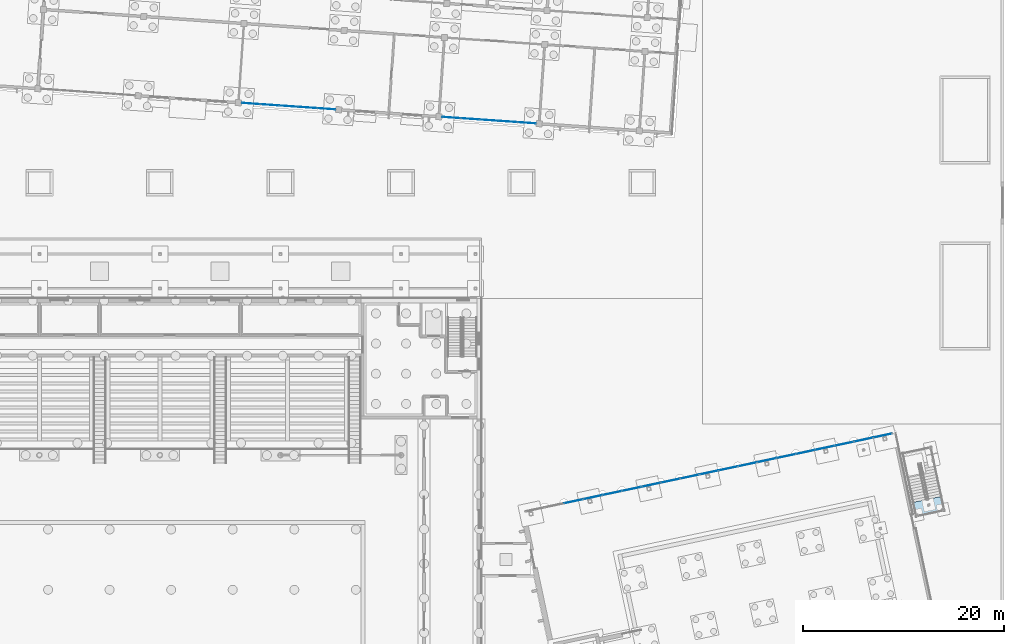
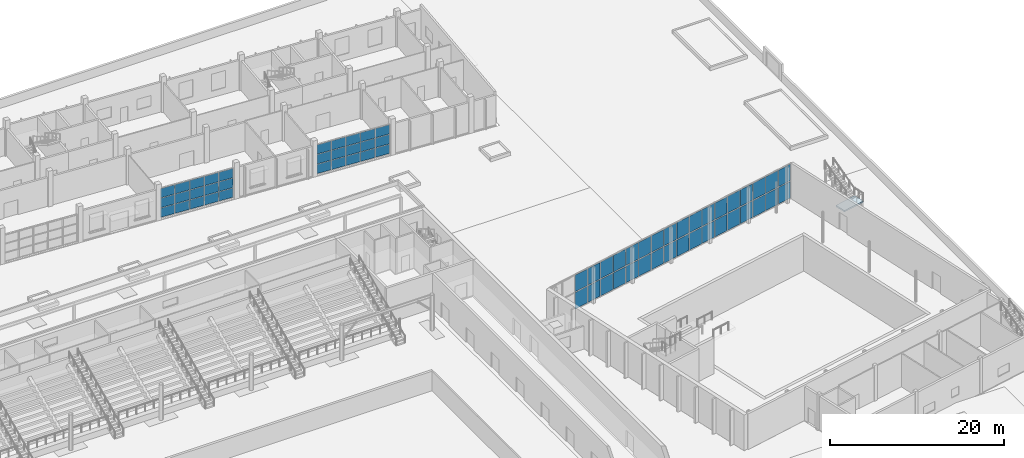
# One storey, part 71 of 157: 64 plates, 1 slab, 4 elements without a shape of their own.
"""IFC4 building model written with IfcOpenShell, lengths in metres."""

from ifc_helpers import new_model, si_unit, direction, frame, origin, origin_2d, place, context, subcontext, project, spatial, polyline, rectangle, outline, extrude, material, layer, layer_set, type_object, element, aggregate, save


model = new_model("IFC4")

# Units and contexts
model_context = context("Model", 3, precision=1e-05, world=origin(), true_north=direction((0.0, 1.0)))
body_context = subcontext(model_context, "Body", "Model", "MODEL_VIEW")
ifc_project = project(units=[si_unit("LENGTHUNIT", "METRE"), si_unit("AREAUNIT", "SQUARE_METRE"), si_unit("VOLUMEUNIT", "CUBIC_METRE"), si_unit("PLANEANGLEUNIT", "RADIAN"), si_unit("MASSUNIT", "GRAM", prefix="KILO")], contexts=[model_context])

# Site, building, storey
site_placement = place(None, origin())
site = spatial("IfcSite", under=ifc_project, at=site_placement, CompositionType="ELEMENT")
building_placement = place(site_placement, origin())
building = spatial("IfcBuilding", under=site, at=building_placement, Name="Windward Yard Aquatics Centre", CompositionType="ELEMENT")
storey_placement = place(building_placement, origin())
storey = spatial("IfcBuildingStorey", under=building, at=storey_placement, Name="L00", CompositionType="ELEMENT", Elevation=0.0)

# Stair, slab
ifc_material_1 = material(Name="Concrete C35/45", Category="concrete")
stair_type = type_object("IfcStairType", Name="D Gallery escape stair dog-leg stair", PredefinedType="HALF_TURN_STAIR", material=ifc_material_1)
stair_placement = place(storey_placement, origin())
stair = element("IfcStair", 1, at=stair_placement, inside=storey, type_object=stair_type, Name="L00 Gallery escape stair", PredefinedType="HALF_TURN_STAIR")
ifc_layer_1 = layer(ifc_material_1, 0.199951171875)
ifc_layer_set_1 = layer_set([ifc_layer_1], Name="D Gallery escape stair stair landing 200")
slab_type = type_object("IfcSlabType", Name="D Gallery escape stair stair landing 200", PredefinedType="LANDING", material=ifc_layer_set_1)
slab_placement = place(storey_placement, frame((0.0, 0.0, 2.300048828125)))
slab = element("IfcSlab", 2, at=slab_placement, type_object=slab_type, Name="D-ST2 landing 1", PredefinedType="LANDING", context=body_context, shape_type="SweptSolid", body=[
    extrude(outline(polyline([(194.924072265625, 75.687744140625), (195.229736328125, 74.25), (198.115234375, 74.86328125), (197.8095703125, 76.30126953125), (194.924072265625, 75.687744140625)])), origin(), (0.0, 0.0, 1.0), 0.199951171875),
])
aggregate(stair, [slab])

# Curtain wall, plates
ifc_material_2 = material(Name="Aluminium and glass", Category="aluminium")
ifc_layer_2 = layer(ifc_material_2, 0.159912109375)
ifc_layer_set_2 = layer_set([ifc_layer_2], Name="D curtain wall 160")
curtain_wall_type_1 = type_object("IfcCurtainWallType", Name="D curtain wall 160", PredefinedType="NOTDEFINED", material=ifc_layer_set_2)
curtain_wall_1_placement = place(storey_placement, origin())
curtain_wall_1 = element("IfcCurtainWall", 3, at=curtain_wall_1_placement, inside=storey, type_object=curtain_wall_type_1, Name="North glazing L00", PredefinedType="NOTDEFINED")
ifc_material_3 = material(Name="Laminated low-iron glass", Category="glass")
ifc_layer_3 = layer(ifc_material_3, 0.028076171875)
ifc_layer_set_3 = layer_set([ifc_layer_3], Name="D curtain wall glass panel 28")
plate_type_1 = type_object("IfcPlateType", Name="D curtain wall glass panel 28", PredefinedType="CURTAIN_PANEL", material=ifc_layer_set_3)
plate_1_placement = place(storey_placement, frame((161.1767578125, 75.803955078125, 0.1201171875), z_axis=(0.0, 0.0, 1.0), x_axis=(0.978147594815, 0.207911718662, 0.0)))
plate_1 = element("IfcPlate", 4, at=plate_1_placement, type_object=plate_type_1, Name="DCW-L00 panel 3.1", PredefinedType="CURTAIN_PANEL", context=body_context, shape_type="SweptSolid", body=[
    extrude(rectangle(XDim=1.90576171875, YDim=0.028076171875, at=origin_2d()), origin(), (0.0, 0.0, 1.0), 2.320068359375),
])
plate_2_placement = place(storey_placement, frame((161.1767578125, 75.803955078125, 2.56005859375), z_axis=(0.0, 0.0, 1.0), x_axis=(0.978147594815, 0.207911718662, 0.0)))
plate_2 = element("IfcPlate", 5, at=plate_2_placement, type_object=plate_type_1, Name="DCW-L00 panel 3.2", PredefinedType="CURTAIN_PANEL", context=body_context, shape_type="SweptSolid", body=[
    extrude(rectangle(XDim=1.90576171875, YDim=0.028076171875, at=origin_2d()), origin(), (0.0, 0.0, 1.0), 2.320068359375),
])
plate_3_placement = place(storey_placement, frame((163.099609375, 76.212646484375, 0.1201171875), z_axis=(0.0, 0.0, 1.0), x_axis=(0.978147594815, 0.207911718662, 0.0)))
plate_3 = element("IfcPlate", 6, at=plate_3_placement, type_object=plate_type_1, Name="DCW-L00 panel 4.1", PredefinedType="CURTAIN_PANEL", context=body_context, shape_type="SweptSolid", body=[
    extrude(rectangle(XDim=1.90576171875, YDim=0.028076171875, at=origin_2d()), origin(), (0.0, 0.0, 1.0), 2.320068359375),
])
plate_4_placement = place(storey_placement, frame((163.099609375, 76.212646484375, 2.56005859375), z_axis=(0.0, 0.0, 1.0), x_axis=(0.978147594815, 0.207911718662, 0.0)))
plate_4 = element("IfcPlate", 7, at=plate_4_placement, type_object=plate_type_1, Name="DCW-L00 panel 4.2", PredefinedType="CURTAIN_PANEL", context=body_context, shape_type="SweptSolid", body=[
    extrude(rectangle(XDim=1.90576171875, YDim=0.028076171875, at=origin_2d()), origin(), (0.0, 0.0, 1.0), 2.320068359375),
])
plate_5_placement = place(storey_placement, frame((165.0224609375, 76.621337890625, 0.1201171875), z_axis=(0.0, 0.0, 1.0), x_axis=(0.978147594815, 0.207911718662, 0.0)))
plate_5 = element("IfcPlate", 8, at=plate_5_placement, type_object=plate_type_1, Name="DCW-L00 panel 5.1", PredefinedType="CURTAIN_PANEL", context=body_context, shape_type="SweptSolid", body=[
    extrude(rectangle(XDim=1.90576171875, YDim=0.028076171875, at=origin_2d()), origin(), (0.0, 0.0, 1.0), 2.320068359375),
])
plate_6_placement = place(storey_placement, frame((165.0224609375, 76.621337890625, 2.56005859375), z_axis=(0.0, 0.0, 1.0), x_axis=(0.978147594815, 0.207911718662, 0.0)))
plate_6 = element("IfcPlate", 9, at=plate_6_placement, type_object=plate_type_1, Name="DCW-L00 panel 5.2", PredefinedType="CURTAIN_PANEL", context=body_context, shape_type="SweptSolid", body=[
    extrude(rectangle(XDim=1.90576171875, YDim=0.028076171875, at=origin_2d()), origin(), (0.0, 0.0, 1.0), 2.320068359375),
])
plate_7_placement = place(storey_placement, frame((166.9453125, 77.030029296875, 0.1201171875), z_axis=(0.0, 0.0, 1.0), x_axis=(0.978147594815, 0.207911718662, 0.0)))
plate_7 = element("IfcPlate", 10, at=plate_7_placement, type_object=plate_type_1, Name="DCW-L00 panel 6.1", PredefinedType="CURTAIN_PANEL", context=body_context, shape_type="SweptSolid", body=[
    extrude(rectangle(XDim=1.90576171875, YDim=0.028076171875, at=origin_2d()), origin(), (0.0, 0.0, 1.0), 2.320068359375),
])
plate_8_placement = place(storey_placement, frame((166.9453125, 77.030029296875, 2.56005859375), z_axis=(0.0, 0.0, 1.0), x_axis=(0.978147594815, 0.207911718662, 0.0)))
plate_8 = element("IfcPlate", 11, at=plate_8_placement, type_object=plate_type_1, Name="DCW-L00 panel 6.2", PredefinedType="CURTAIN_PANEL", context=body_context, shape_type="SweptSolid", body=[
    extrude(rectangle(XDim=1.90576171875, YDim=0.028076171875, at=origin_2d()), origin(), (0.0, 0.0, 1.0), 2.320068359375),
])
plate_9_placement = place(storey_placement, frame((168.8681640625, 77.438720703125, 0.1201171875), z_axis=(0.0, 0.0, 1.0), x_axis=(0.978147594815, 0.207911718662, 0.0)))
plate_9 = element("IfcPlate", 12, at=plate_9_placement, type_object=plate_type_1, Name="DCW-L00 panel 7.1", PredefinedType="CURTAIN_PANEL", context=body_context, shape_type="SweptSolid", body=[
    extrude(rectangle(XDim=1.90576171875, YDim=0.028076171875, at=origin_2d()), origin(), (0.0, 0.0, 1.0), 2.320068359375),
])
plate_10_placement = place(storey_placement, frame((168.8681640625, 77.438720703125, 2.56005859375), z_axis=(0.0, 0.0, 1.0), x_axis=(0.978147594815, 0.207911718662, 0.0)))
plate_10 = element("IfcPlate", 13, at=plate_10_placement, type_object=plate_type_1, Name="DCW-L00 panel 7.2", PredefinedType="CURTAIN_PANEL", context=body_context, shape_type="SweptSolid", body=[
    extrude(rectangle(XDim=1.90576171875, YDim=0.028076171875, at=origin_2d()), origin(), (0.0, 0.0, 1.0), 2.320068359375),
])
plate_11_placement = place(storey_placement, frame((170.791015625, 77.847412109375, 0.1201171875), z_axis=(0.0, 0.0, 1.0), x_axis=(0.978147594815, 0.207911718662, 0.0)))
plate_11 = element("IfcPlate", 14, at=plate_11_placement, type_object=plate_type_1, Name="DCW-L00 panel 8.1", PredefinedType="CURTAIN_PANEL", context=body_context, shape_type="SweptSolid", body=[
    extrude(rectangle(XDim=1.90576171875, YDim=0.028076171875, at=origin_2d()), origin(), (0.0, 0.0, 1.0), 2.320068359375),
])
plate_12_placement = place(storey_placement, frame((170.791015625, 77.847412109375, 2.56005859375), z_axis=(0.0, 0.0, 1.0), x_axis=(0.978147594815, 0.207911718662, 0.0)))
plate_12 = element("IfcPlate", 15, at=plate_12_placement, type_object=plate_type_1, Name="DCW-L00 panel 8.2", PredefinedType="CURTAIN_PANEL", context=body_context, shape_type="SweptSolid", body=[
    extrude(rectangle(XDim=1.90576171875, YDim=0.028076171875, at=origin_2d()), origin(), (0.0, 0.0, 1.0), 2.320068359375),
])
plate_13_placement = place(storey_placement, frame((172.7138671875, 78.256103515625, 0.1201171875), z_axis=(0.0, 0.0, 1.0), x_axis=(0.978147594815, 0.207911718662, 0.0)))
plate_13 = element("IfcPlate", 16, at=plate_13_placement, type_object=plate_type_1, Name="DCW-L00 panel 9.1", PredefinedType="CURTAIN_PANEL", context=body_context, shape_type="SweptSolid", body=[
    extrude(rectangle(XDim=1.90576171875, YDim=0.028076171875, at=origin_2d()), origin(), (0.0, 0.0, 1.0), 2.320068359375),
])
plate_14_placement = place(storey_placement, frame((172.7138671875, 78.256103515625, 2.56005859375), z_axis=(0.0, 0.0, 1.0), x_axis=(0.978147594815, 0.207911718662, 0.0)))
plate_14 = element("IfcPlate", 17, at=plate_14_placement, type_object=plate_type_1, Name="DCW-L00 panel 9.2", PredefinedType="CURTAIN_PANEL", context=body_context, shape_type="SweptSolid", body=[
    extrude(rectangle(XDim=1.90576171875, YDim=0.028076171875, at=origin_2d()), origin(), (0.0, 0.0, 1.0), 2.320068359375),
])
plate_15_placement = place(storey_placement, frame((174.63671875, 78.664794921875, 0.1201171875), z_axis=(0.0, 0.0, 1.0), x_axis=(0.978147594815, 0.207911718662, 0.0)))
plate_15 = element("IfcPlate", 18, at=plate_15_placement, type_object=plate_type_1, Name="DCW-L00 panel 10.1", PredefinedType="CURTAIN_PANEL", context=body_context, shape_type="SweptSolid", body=[
    extrude(rectangle(XDim=1.90576171875, YDim=0.028076171875, at=origin_2d()), origin(), (0.0, 0.0, 1.0), 2.320068359375),
])
plate_16_placement = place(storey_placement, frame((174.63671875, 78.664794921875, 2.56005859375), z_axis=(0.0, 0.0, 1.0), x_axis=(0.978147594815, 0.207911718662, 0.0)))
plate_16 = element("IfcPlate", 19, at=plate_16_placement, type_object=plate_type_1, Name="DCW-L00 panel 10.2", PredefinedType="CURTAIN_PANEL", context=body_context, shape_type="SweptSolid", body=[
    extrude(rectangle(XDim=1.90576171875, YDim=0.028076171875, at=origin_2d()), origin(), (0.0, 0.0, 1.0), 2.320068359375),
])
plate_17_placement = place(storey_placement, frame((176.5595703125, 79.073486328125, 0.1201171875), z_axis=(0.0, 0.0, 1.0), x_axis=(0.978147594815, 0.207911718662, 0.0)))
plate_17 = element("IfcPlate", 20, at=plate_17_placement, type_object=plate_type_1, Name="DCW-L00 panel 11.1", PredefinedType="CURTAIN_PANEL", context=body_context, shape_type="SweptSolid", body=[
    extrude(rectangle(XDim=1.90576171875, YDim=0.028076171875, at=origin_2d()), origin(), (0.0, 0.0, 1.0), 2.320068359375),
])
plate_18_placement = place(storey_placement, frame((176.5595703125, 79.073486328125, 2.56005859375), z_axis=(0.0, 0.0, 1.0), x_axis=(0.978147594815, 0.207911718662, 0.0)))
plate_18 = element("IfcPlate", 21, at=plate_18_placement, type_object=plate_type_1, Name="DCW-L00 panel 11.2", PredefinedType="CURTAIN_PANEL", context=body_context, shape_type="SweptSolid", body=[
    extrude(rectangle(XDim=1.90576171875, YDim=0.028076171875, at=origin_2d()), origin(), (0.0, 0.0, 1.0), 2.320068359375),
])
plate_19_placement = place(storey_placement, frame((178.482421875, 79.482177734375, 0.1201171875), z_axis=(0.0, 0.0, 1.0), x_axis=(0.978147594815, 0.207911718662, 0.0)))
plate_19 = element("IfcPlate", 22, at=plate_19_placement, type_object=plate_type_1, Name="DCW-L00 panel 12.1", PredefinedType="CURTAIN_PANEL", context=body_context, shape_type="SweptSolid", body=[
    extrude(rectangle(XDim=1.90576171875, YDim=0.028076171875, at=origin_2d()), origin(), (0.0, 0.0, 1.0), 2.320068359375),
])
plate_20_placement = place(storey_placement, frame((178.482421875, 79.482177734375, 2.56005859375), z_axis=(0.0, 0.0, 1.0), x_axis=(0.978147594815, 0.207911718662, 0.0)))
plate_20 = element("IfcPlate", 23, at=plate_20_placement, type_object=plate_type_1, Name="DCW-L00 panel 12.2", PredefinedType="CURTAIN_PANEL", context=body_context, shape_type="SweptSolid", body=[
    extrude(rectangle(XDim=1.90576171875, YDim=0.028076171875, at=origin_2d()), origin(), (0.0, 0.0, 1.0), 2.320068359375),
])
plate_21_placement = place(storey_placement, frame((180.4052734375, 79.890869140625, 0.1201171875), z_axis=(0.0, 0.0, 1.0), x_axis=(0.978147594815, 0.207911718662, 0.0)))
plate_21 = element("IfcPlate", 24, at=plate_21_placement, type_object=plate_type_1, Name="DCW-L00 panel 13.1", PredefinedType="CURTAIN_PANEL", context=body_context, shape_type="SweptSolid", body=[
    extrude(rectangle(XDim=1.90576171875, YDim=0.028076171875, at=origin_2d()), origin(), (0.0, 0.0, 1.0), 2.320068359375),
])
plate_22_placement = place(storey_placement, frame((180.4052734375, 79.890869140625, 2.56005859375), z_axis=(0.0, 0.0, 1.0), x_axis=(0.978147594815, 0.207911718662, 0.0)))
plate_22 = element("IfcPlate", 25, at=plate_22_placement, type_object=plate_type_1, Name="DCW-L00 panel 13.2", PredefinedType="CURTAIN_PANEL", context=body_context, shape_type="SweptSolid", body=[
    extrude(rectangle(XDim=1.90576171875, YDim=0.028076171875, at=origin_2d()), origin(), (0.0, 0.0, 1.0), 2.320068359375),
])
plate_23_placement = place(storey_placement, frame((182.328125, 80.2998046875, 0.1201171875), z_axis=(0.0, 0.0, 1.0), x_axis=(0.978147594815, 0.207911718662, 0.0)))
plate_23 = element("IfcPlate", 26, at=plate_23_placement, type_object=plate_type_1, Name="DCW-L00 panel 14.1", PredefinedType="CURTAIN_PANEL", context=body_context, shape_type="SweptSolid", body=[
    extrude(rectangle(XDim=1.90576171875, YDim=0.028076171875, at=origin_2d()), origin(), (0.0, 0.0, 1.0), 2.320068359375),
])
plate_24_placement = place(storey_placement, frame((182.328125, 80.2998046875, 2.56005859375), z_axis=(0.0, 0.0, 1.0), x_axis=(0.978147594815, 0.207911718662, 0.0)))
plate_24 = element("IfcPlate", 27, at=plate_24_placement, type_object=plate_type_1, Name="DCW-L00 panel 14.2", PredefinedType="CURTAIN_PANEL", context=body_context, shape_type="SweptSolid", body=[
    extrude(rectangle(XDim=1.90576171875, YDim=0.028076171875, at=origin_2d()), origin(), (0.0, 0.0, 1.0), 2.320068359375),
])
plate_25_placement = place(storey_placement, frame((184.2509765625, 80.70849609375, 0.1201171875), z_axis=(0.0, 0.0, 1.0), x_axis=(0.978147594815, 0.207911718662, 0.0)))
plate_25 = element("IfcPlate", 28, at=plate_25_placement, type_object=plate_type_1, Name="DCW-L00 panel 15.1", PredefinedType="CURTAIN_PANEL", context=body_context, shape_type="SweptSolid", body=[
    extrude(rectangle(XDim=1.90576171875, YDim=0.028076171875, at=origin_2d()), origin(), (0.0, 0.0, 1.0), 2.320068359375),
])
plate_26_placement = place(storey_placement, frame((184.2509765625, 80.70849609375, 2.56005859375), z_axis=(0.0, 0.0, 1.0), x_axis=(0.978147594815, 0.207911718662, 0.0)))
plate_26 = element("IfcPlate", 29, at=plate_26_placement, type_object=plate_type_1, Name="DCW-L00 panel 15.2", PredefinedType="CURTAIN_PANEL", context=body_context, shape_type="SweptSolid", body=[
    extrude(rectangle(XDim=1.90576171875, YDim=0.028076171875, at=origin_2d()), origin(), (0.0, 0.0, 1.0), 2.320068359375),
])
plate_27_placement = place(storey_placement, frame((186.173583984375, 81.1171875, 0.1201171875), z_axis=(0.0, 0.0, 1.0), x_axis=(0.978147594815, 0.207911718662, 0.0)))
plate_27 = element("IfcPlate", 30, at=plate_27_placement, type_object=plate_type_1, Name="DCW-L00 panel 16.1", PredefinedType="CURTAIN_PANEL", context=body_context, shape_type="SweptSolid", body=[
    extrude(rectangle(XDim=1.90576171875, YDim=0.028076171875, at=origin_2d()), origin(), (0.0, 0.0, 1.0), 2.320068359375),
])
plate_28_placement = place(storey_placement, frame((186.173583984375, 81.1171875, 2.56005859375), z_axis=(0.0, 0.0, 1.0), x_axis=(0.978147594815, 0.207911718662, 0.0)))
plate_28 = element("IfcPlate", 31, at=plate_28_placement, type_object=plate_type_1, Name="DCW-L00 panel 16.2", PredefinedType="CURTAIN_PANEL", context=body_context, shape_type="SweptSolid", body=[
    extrude(rectangle(XDim=1.90576171875, YDim=0.028076171875, at=origin_2d()), origin(), (0.0, 0.0, 1.0), 2.320068359375),
])
plate_29_placement = place(storey_placement, frame((188.096435546875, 81.52587890625, 0.1201171875), z_axis=(0.0, 0.0, 1.0), x_axis=(0.978147594815, 0.207911718662, 0.0)))
plate_29 = element("IfcPlate", 32, at=plate_29_placement, type_object=plate_type_1, Name="DCW-L00 panel 17.1", PredefinedType="CURTAIN_PANEL", context=body_context, shape_type="SweptSolid", body=[
    extrude(rectangle(XDim=1.90576171875, YDim=0.028076171875, at=origin_2d()), origin(), (0.0, 0.0, 1.0), 2.320068359375),
])
plate_30_placement = place(storey_placement, frame((188.096435546875, 81.52587890625, 2.56005859375), z_axis=(0.0, 0.0, 1.0), x_axis=(0.978147594815, 0.207911718662, 0.0)))
plate_30 = element("IfcPlate", 33, at=plate_30_placement, type_object=plate_type_1, Name="DCW-L00 panel 17.2", PredefinedType="CURTAIN_PANEL", context=body_context, shape_type="SweptSolid", body=[
    extrude(rectangle(XDim=1.90576171875, YDim=0.028076171875, at=origin_2d()), origin(), (0.0, 0.0, 1.0), 2.320068359375),
])
plate_31_placement = place(storey_placement, frame((190.019287109375, 81.9345703125, 0.1201171875), z_axis=(0.0, 0.0, 1.0), x_axis=(0.978147594815, 0.207911718662, 0.0)))
plate_31 = element("IfcPlate", 34, at=plate_31_placement, type_object=plate_type_1, Name="DCW-L00 panel 18.1", PredefinedType="CURTAIN_PANEL", context=body_context, shape_type="SweptSolid", body=[
    extrude(rectangle(XDim=1.90576171875, YDim=0.028076171875, at=origin_2d()), origin(), (0.0, 0.0, 1.0), 2.320068359375),
])
plate_32_placement = place(storey_placement, frame((190.019287109375, 81.9345703125, 2.56005859375), z_axis=(0.0, 0.0, 1.0), x_axis=(0.978147594815, 0.207911718662, 0.0)))
plate_32 = element("IfcPlate", 35, at=plate_32_placement, type_object=plate_type_1, Name="DCW-L00 panel 18.2", PredefinedType="CURTAIN_PANEL", context=body_context, shape_type="SweptSolid", body=[
    extrude(rectangle(XDim=1.90576171875, YDim=0.028076171875, at=origin_2d()), origin(), (0.0, 0.0, 1.0), 2.320068359375),
])
plate_33_placement = place(storey_placement, frame((191.927490234375, 82.340087890625, 0.1201171875), z_axis=(0.0, 0.0, 1.0), x_axis=(0.978147594815, 0.207911718662, 0.0)))
plate_33 = element("IfcPlate", 36, at=plate_33_placement, type_object=plate_type_1, Name="DCW-L00 panel 19.1", PredefinedType="CURTAIN_PANEL", context=body_context, shape_type="SweptSolid", body=[
    extrude(rectangle(XDim=1.875732421875, YDim=0.028076171875, at=origin_2d()), origin(), (0.0, 0.0, 1.0), 2.320068359375),
])
plate_34_placement = place(storey_placement, frame((191.927490234375, 82.340087890625, 2.56005859375), z_axis=(0.0, 0.0, 1.0), x_axis=(0.978147594815, 0.207911718662, 0.0)))
plate_34 = element("IfcPlate", 37, at=plate_34_placement, type_object=plate_type_1, Name="DCW-L00 panel 19.2", PredefinedType="CURTAIN_PANEL", context=body_context, shape_type="SweptSolid", body=[
    extrude(rectangle(XDim=1.875732421875, YDim=0.028076171875, at=origin_2d()), origin(), (0.0, 0.0, 1.0), 2.320068359375),
])
aggregate(curtain_wall_1, [plate_1, plate_2, plate_3, plate_4, plate_5, plate_6, plate_7, plate_8, plate_9, plate_10, plate_11, plate_12, plate_13, plate_14, plate_15, plate_16, plate_17, plate_18, plate_19, plate_20, plate_21, plate_22, plate_23, plate_24, plate_25, plate_26, plate_27, plate_28, plate_29, plate_30, plate_31, plate_32, plate_33, plate_34])

ifc_material_4 = material(Name="Aluminium curtain wall system", Category="aluminium")
curtain_wall_type_2 = type_object("IfcCurtainWallType", Name="W curtain wall 1900", PredefinedType="NOTDEFINED", material=ifc_material_4)
curtain_wall_2_placement = place(storey_placement, origin())
curtain_wall_2 = element("IfcCurtainWall", 38, at=curtain_wall_2_placement, inside=storey, type_object=curtain_wall_type_2, Name="Wing south glazing L00 2", PredefinedType="NOTDEFINED")
ifc_material_5 = material(Name="Double glazed unit")
ifc_layer_4 = layer(ifc_material_5, 0.028076171875)
ifc_layer_set_4 = layer_set([ifc_layer_4], Name="W CW panel IGU 28")
plate_type_2 = type_object("IfcPlateType", Name="W CW panel IGU 28", PredefinedType="CURTAIN_PANEL", material=ifc_layer_set_4)
plate_35_placement = place(storey_placement, frame((129.06640625, 115.38232421875, 0.06005859375), z_axis=(0.0, 0.0, 1.0), x_axis=(0.997564129531, -0.069755340111, 0.0)))
plate_35 = element("IfcPlate", 39, at=plate_35_placement, type_object=plate_type_2, Name="WCW1 panel 1.1", PredefinedType="CURTAIN_PANEL", context=body_context, shape_type="SweptSolid", body=[
    extrude(rectangle(XDim=1.7900390625, YDim=0.028076171875, at=origin_2d()), origin(), (0.0, 0.0, 1.0), 1.300048828125),
])
plate_36_placement = place(storey_placement, frame((129.06640625, 115.38232421875, 1.419921875), z_axis=(0.0, 0.0, 1.0), x_axis=(0.997564129531, -0.069755340111, 0.0)))
plate_36 = element("IfcPlate", 40, at=plate_36_placement, type_object=plate_type_2, Name="WCW1 panel 1.2", PredefinedType="CURTAIN_PANEL", context=body_context, shape_type="SweptSolid", body=[
    extrude(rectangle(XDim=1.7900390625, YDim=0.028076171875, at=origin_2d()), origin(), (0.0, 0.0, 1.0), 1.330078125),
])
plate_37_placement = place(storey_placement, frame((129.06640625, 115.38232421875, 2.81005859375), z_axis=(0.0, 0.0, 1.0), x_axis=(0.997564129531, -0.069755340111, 0.0)))
plate_37 = element("IfcPlate", 41, at=plate_37_placement, type_object=plate_type_2, Name="WCW1 panel 1.3", PredefinedType="CURTAIN_PANEL", context=body_context, shape_type="SweptSolid", body=[
    extrude(rectangle(XDim=1.7900390625, YDim=0.028076171875, at=origin_2d()), origin(), (0.0, 0.0, 1.0), 1.300048828125),
])
plate_38_placement = place(storey_placement, frame((130.927001953125, 115.252197265625, 0.06005859375), z_axis=(0.0, 0.0, 1.0), x_axis=(0.997564129531, -0.069755340111, 0.0)))
plate_38 = element("IfcPlate", 42, at=plate_38_placement, type_object=plate_type_2, Name="WCW1 panel 2.1", PredefinedType="CURTAIN_PANEL", context=body_context, shape_type="SweptSolid", body=[
    extrude(rectangle(XDim=1.820068359375, YDim=0.028076171875, at=origin_2d()), origin(), (0.0, 0.0, 1.0), 1.300048828125),
])
plate_39_placement = place(storey_placement, frame((130.927001953125, 115.252197265625, 1.419921875), z_axis=(0.0, 0.0, 1.0), x_axis=(0.997564129531, -0.069755340111, 0.0)))
plate_39 = element("IfcPlate", 43, at=plate_39_placement, type_object=plate_type_2, Name="WCW1 panel 2.2", PredefinedType="CURTAIN_PANEL", context=body_context, shape_type="SweptSolid", body=[
    extrude(rectangle(XDim=1.820068359375, YDim=0.028076171875, at=origin_2d()), origin(), (0.0, 0.0, 1.0), 1.330078125),
])
plate_40_placement = place(storey_placement, frame((130.927001953125, 115.252197265625, 2.81005859375), z_axis=(0.0, 0.0, 1.0), x_axis=(0.997564129531, -0.069755340111, 0.0)))
plate_40 = element("IfcPlate", 44, at=plate_40_placement, type_object=plate_type_2, Name="WCW1 panel 2.3", PredefinedType="CURTAIN_PANEL", context=body_context, shape_type="SweptSolid", body=[
    extrude(rectangle(XDim=1.820068359375, YDim=0.028076171875, at=origin_2d()), origin(), (0.0, 0.0, 1.0), 1.300048828125),
])
plate_41_placement = place(storey_placement, frame((132.80224609375, 115.12109375, 0.06005859375), z_axis=(0.0, 0.0, 1.0), x_axis=(0.997564129531, -0.069755340111, 0.0)))
plate_41 = element("IfcPlate", 45, at=plate_41_placement, type_object=plate_type_2, Name="WCW1 panel 3.1", PredefinedType="CURTAIN_PANEL", context=body_context, shape_type="SweptSolid", body=[
    extrude(rectangle(XDim=1.820068359375, YDim=0.028076171875, at=origin_2d()), origin(), (0.0, 0.0, 1.0), 1.300048828125),
])
plate_42_placement = place(storey_placement, frame((132.80224609375, 115.12109375, 1.419921875), z_axis=(0.0, 0.0, 1.0), x_axis=(0.997564129531, -0.069755340111, 0.0)))
plate_42 = element("IfcPlate", 46, at=plate_42_placement, type_object=plate_type_2, Name="WCW1 panel 3.2", PredefinedType="CURTAIN_PANEL", context=body_context, shape_type="SweptSolid", body=[
    extrude(rectangle(XDim=1.820068359375, YDim=0.028076171875, at=origin_2d()), origin(), (0.0, 0.0, 1.0), 1.330078125),
])
plate_43_placement = place(storey_placement, frame((132.80224609375, 115.12109375, 2.81005859375), z_axis=(0.0, 0.0, 1.0), x_axis=(0.997564129531, -0.069755340111, 0.0)))
plate_43 = element("IfcPlate", 47, at=plate_43_placement, type_object=plate_type_2, Name="WCW1 panel 3.3", PredefinedType="CURTAIN_PANEL", context=body_context, shape_type="SweptSolid", body=[
    extrude(rectangle(XDim=1.820068359375, YDim=0.028076171875, at=origin_2d()), origin(), (0.0, 0.0, 1.0), 1.300048828125),
])
plate_44_placement = place(storey_placement, frame((134.677734375, 114.989990234375, 0.06005859375), z_axis=(0.0, 0.0, 1.0), x_axis=(0.997564129531, -0.069755340111, 0.0)))
plate_44 = element("IfcPlate", 48, at=plate_44_placement, type_object=plate_type_2, Name="WCW1 panel 4.1", PredefinedType="CURTAIN_PANEL", context=body_context, shape_type="SweptSolid", body=[
    extrude(rectangle(XDim=1.820068359375, YDim=0.028076171875, at=origin_2d()), origin(), (0.0, 0.0, 1.0), 1.300048828125),
])
plate_45_placement = place(storey_placement, frame((134.677734375, 114.989990234375, 1.419921875), z_axis=(0.0, 0.0, 1.0), x_axis=(0.997564129531, -0.069755340111, 0.0)))
plate_45 = element("IfcPlate", 49, at=plate_45_placement, type_object=plate_type_2, Name="WCW1 panel 4.2", PredefinedType="CURTAIN_PANEL", context=body_context, shape_type="SweptSolid", body=[
    extrude(rectangle(XDim=1.820068359375, YDim=0.028076171875, at=origin_2d()), origin(), (0.0, 0.0, 1.0), 1.330078125),
])
plate_46_placement = place(storey_placement, frame((134.677734375, 114.989990234375, 2.81005859375), z_axis=(0.0, 0.0, 1.0), x_axis=(0.997564129531, -0.069755340111, 0.0)))
plate_46 = element("IfcPlate", 50, at=plate_46_placement, type_object=plate_type_2, Name="WCW1 panel 4.3", PredefinedType="CURTAIN_PANEL", context=body_context, shape_type="SweptSolid", body=[
    extrude(rectangle(XDim=1.820068359375, YDim=0.028076171875, at=origin_2d()), origin(), (0.0, 0.0, 1.0), 1.300048828125),
])
plate_47_placement = place(storey_placement, frame((136.538330078125, 114.85986328125, 0.06005859375), z_axis=(0.0, 0.0, 1.0), x_axis=(0.997564129531, -0.069755340111, 0.0)))
plate_47 = element("IfcPlate", 51, at=plate_47_placement, type_object=plate_type_2, Name="WCW1 panel 5.1", PredefinedType="CURTAIN_PANEL", context=body_context, shape_type="SweptSolid", body=[
    extrude(rectangle(XDim=1.7900390625, YDim=0.028076171875, at=origin_2d()), origin(), (0.0, 0.0, 1.0), 1.300048828125),
])
plate_48_placement = place(storey_placement, frame((136.538330078125, 114.85986328125, 1.419921875), z_axis=(0.0, 0.0, 1.0), x_axis=(0.997564129531, -0.069755340111, 0.0)))
plate_48 = element("IfcPlate", 52, at=plate_48_placement, type_object=plate_type_2, Name="WCW1 panel 5.2", PredefinedType="CURTAIN_PANEL", context=body_context, shape_type="SweptSolid", body=[
    extrude(rectangle(XDim=1.7900390625, YDim=0.028076171875, at=origin_2d()), origin(), (0.0, 0.0, 1.0), 1.330078125),
])
plate_49_placement = place(storey_placement, frame((136.538330078125, 114.85986328125, 2.81005859375), z_axis=(0.0, 0.0, 1.0), x_axis=(0.997564129531, -0.069755340111, 0.0)))
plate_49 = element("IfcPlate", 53, at=plate_49_placement, type_object=plate_type_2, Name="WCW1 panel 5.3", PredefinedType="CURTAIN_PANEL", context=body_context, shape_type="SweptSolid", body=[
    extrude(rectangle(XDim=1.7900390625, YDim=0.028076171875, at=origin_2d()), origin(), (0.0, 0.0, 1.0), 1.300048828125),
])
aggregate(curtain_wall_2, [plate_35, plate_36, plate_37, plate_38, plate_39, plate_40, plate_41, plate_42, plate_43, plate_44, plate_45, plate_46, plate_47, plate_48, plate_49])

curtain_wall_3_placement = place(storey_placement, origin())
curtain_wall_3 = element("IfcCurtainWall", 54, at=curtain_wall_3_placement, inside=storey, type_object=curtain_wall_type_2, Name="Wing south glazing L00 3", PredefinedType="NOTDEFINED")
plate_50_placement = place(storey_placement, frame((149.017822265625, 113.9873046875, 0.06005859375), z_axis=(0.0, 0.0, 1.0), x_axis=(0.997564129531, -0.069755340111, 0.0)))
plate_50 = element("IfcPlate", 55, at=plate_50_placement, type_object=plate_type_2, Name="WCW1 panel 1.1", PredefinedType="CURTAIN_PANEL", context=body_context, shape_type="SweptSolid", body=[
    extrude(rectangle(XDim=1.7900390625, YDim=0.028076171875, at=origin_2d()), origin(), (0.0, 0.0, 1.0), 1.300048828125),
])
plate_51_placement = place(storey_placement, frame((149.017822265625, 113.9873046875, 1.419921875), z_axis=(0.0, 0.0, 1.0), x_axis=(0.997564129531, -0.069755340111, 0.0)))
plate_51 = element("IfcPlate", 56, at=plate_51_placement, type_object=plate_type_2, Name="WCW1 panel 1.2", PredefinedType="CURTAIN_PANEL", context=body_context, shape_type="SweptSolid", body=[
    extrude(rectangle(XDim=1.7900390625, YDim=0.028076171875, at=origin_2d()), origin(), (0.0, 0.0, 1.0), 1.330078125),
])
plate_52_placement = place(storey_placement, frame((149.017822265625, 113.9873046875, 2.81005859375), z_axis=(0.0, 0.0, 1.0), x_axis=(0.997564129531, -0.069755340111, 0.0)))
plate_52 = element("IfcPlate", 57, at=plate_52_placement, type_object=plate_type_2, Name="WCW1 panel 1.3", PredefinedType="CURTAIN_PANEL", context=body_context, shape_type="SweptSolid", body=[
    extrude(rectangle(XDim=1.7900390625, YDim=0.028076171875, at=origin_2d()), origin(), (0.0, 0.0, 1.0), 1.300048828125),
])
plate_53_placement = place(storey_placement, frame((150.878173828125, 113.857177734375, 0.06005859375), z_axis=(0.0, 0.0, 1.0), x_axis=(0.997564129531, -0.069755340111, 0.0)))
plate_53 = element("IfcPlate", 58, at=plate_53_placement, type_object=plate_type_2, Name="WCW1 panel 2.1", PredefinedType="CURTAIN_PANEL", context=body_context, shape_type="SweptSolid", body=[
    extrude(rectangle(XDim=1.820068359375, YDim=0.028076171875, at=origin_2d()), origin(), (0.0, 0.0, 1.0), 1.300048828125),
])
plate_54_placement = place(storey_placement, frame((150.878173828125, 113.857177734375, 1.419921875), z_axis=(0.0, 0.0, 1.0), x_axis=(0.997564129531, -0.069755340111, 0.0)))
plate_54 = element("IfcPlate", 59, at=plate_54_placement, type_object=plate_type_2, Name="WCW1 panel 2.2", PredefinedType="CURTAIN_PANEL", context=body_context, shape_type="SweptSolid", body=[
    extrude(rectangle(XDim=1.820068359375, YDim=0.028076171875, at=origin_2d()), origin(), (0.0, 0.0, 1.0), 1.330078125),
])
plate_55_placement = place(storey_placement, frame((150.878173828125, 113.857177734375, 2.81005859375), z_axis=(0.0, 0.0, 1.0), x_axis=(0.997564129531, -0.069755340111, 0.0)))
plate_55 = element("IfcPlate", 60, at=plate_55_placement, type_object=plate_type_2, Name="WCW1 panel 2.3", PredefinedType="CURTAIN_PANEL", context=body_context, shape_type="SweptSolid", body=[
    extrude(rectangle(XDim=1.820068359375, YDim=0.028076171875, at=origin_2d()), origin(), (0.0, 0.0, 1.0), 1.300048828125),
])
plate_56_placement = place(storey_placement, frame((152.753662109375, 113.72607421875, 0.06005859375), z_axis=(0.0, 0.0, 1.0), x_axis=(0.997564129531, -0.069755340111, 0.0)))
plate_56 = element("IfcPlate", 61, at=plate_56_placement, type_object=plate_type_2, Name="WCW1 panel 3.1", PredefinedType="CURTAIN_PANEL", context=body_context, shape_type="SweptSolid", body=[
    extrude(rectangle(XDim=1.820068359375, YDim=0.028076171875, at=origin_2d()), origin(), (0.0, 0.0, 1.0), 1.300048828125),
])
plate_57_placement = place(storey_placement, frame((152.753662109375, 113.72607421875, 1.419921875), z_axis=(0.0, 0.0, 1.0), x_axis=(0.997564129531, -0.069755340111, 0.0)))
plate_57 = element("IfcPlate", 62, at=plate_57_placement, type_object=plate_type_2, Name="WCW1 panel 3.2", PredefinedType="CURTAIN_PANEL", context=body_context, shape_type="SweptSolid", body=[
    extrude(rectangle(XDim=1.820068359375, YDim=0.028076171875, at=origin_2d()), origin(), (0.0, 0.0, 1.0), 1.330078125),
])
plate_58_placement = place(storey_placement, frame((152.753662109375, 113.72607421875, 2.81005859375), z_axis=(0.0, 0.0, 1.0), x_axis=(0.997564129531, -0.069755340111, 0.0)))
plate_58 = element("IfcPlate", 63, at=plate_58_placement, type_object=plate_type_2, Name="WCW1 panel 3.3", PredefinedType="CURTAIN_PANEL", context=body_context, shape_type="SweptSolid", body=[
    extrude(rectangle(XDim=1.820068359375, YDim=0.028076171875, at=origin_2d()), origin(), (0.0, 0.0, 1.0), 1.300048828125),
])
plate_59_placement = place(storey_placement, frame((154.629150390625, 113.594970703125, 0.06005859375), z_axis=(0.0, 0.0, 1.0), x_axis=(0.997564129531, -0.069755340111, 0.0)))
plate_59 = element("IfcPlate", 64, at=plate_59_placement, type_object=plate_type_2, Name="WCW1 panel 4.1", PredefinedType="CURTAIN_PANEL", context=body_context, shape_type="SweptSolid", body=[
    extrude(rectangle(XDim=1.820068359375, YDim=0.028076171875, at=origin_2d()), origin(), (0.0, 0.0, 1.0), 1.300048828125),
])
plate_60_placement = place(storey_placement, frame((154.629150390625, 113.594970703125, 1.419921875), z_axis=(0.0, 0.0, 1.0), x_axis=(0.997564129531, -0.069755340111, 0.0)))
plate_60 = element("IfcPlate", 65, at=plate_60_placement, type_object=plate_type_2, Name="WCW1 panel 4.2", PredefinedType="CURTAIN_PANEL", context=body_context, shape_type="SweptSolid", body=[
    extrude(rectangle(XDim=1.820068359375, YDim=0.028076171875, at=origin_2d()), origin(), (0.0, 0.0, 1.0), 1.330078125),
])
plate_61_placement = place(storey_placement, frame((154.629150390625, 113.594970703125, 2.81005859375), z_axis=(0.0, 0.0, 1.0), x_axis=(0.997564129531, -0.069755340111, 0.0)))
plate_61 = element("IfcPlate", 66, at=plate_61_placement, type_object=plate_type_2, Name="WCW1 panel 4.3", PredefinedType="CURTAIN_PANEL", context=body_context, shape_type="SweptSolid", body=[
    extrude(rectangle(XDim=1.820068359375, YDim=0.028076171875, at=origin_2d()), origin(), (0.0, 0.0, 1.0), 1.300048828125),
])
plate_62_placement = place(storey_placement, frame((156.489501953125, 113.46484375, 0.06005859375), z_axis=(0.0, 0.0, 1.0), x_axis=(0.997564129531, -0.069755340111, 0.0)))
plate_62 = element("IfcPlate", 67, at=plate_62_placement, type_object=plate_type_2, Name="WCW1 panel 5.1", PredefinedType="CURTAIN_PANEL", context=body_context, shape_type="SweptSolid", body=[
    extrude(rectangle(XDim=1.7900390625, YDim=0.028076171875, at=origin_2d()), origin(), (0.0, 0.0, 1.0), 1.300048828125),
])
plate_63_placement = place(storey_placement, frame((156.489501953125, 113.46484375, 1.419921875), z_axis=(0.0, 0.0, 1.0), x_axis=(0.997564129531, -0.069755340111, 0.0)))
plate_63 = element("IfcPlate", 68, at=plate_63_placement, type_object=plate_type_2, Name="WCW1 panel 5.2", PredefinedType="CURTAIN_PANEL", context=body_context, shape_type="SweptSolid", body=[
    extrude(rectangle(XDim=1.7900390625, YDim=0.028076171875, at=origin_2d()), origin(), (0.0, 0.0, 1.0), 1.330078125),
])
plate_64_placement = place(storey_placement, frame((156.489501953125, 113.46484375, 2.81005859375), z_axis=(0.0, 0.0, 1.0), x_axis=(0.997564129531, -0.069755340111, 0.0)))
plate_64 = element("IfcPlate", 69, at=plate_64_placement, type_object=plate_type_2, Name="WCW1 panel 5.3", PredefinedType="CURTAIN_PANEL", context=body_context, shape_type="SweptSolid", body=[
    extrude(rectangle(XDim=1.7900390625, YDim=0.028076171875, at=origin_2d()), origin(), (0.0, 0.0, 1.0), 1.300048828125),
])
aggregate(curtain_wall_3, [plate_50, plate_51, plate_52, plate_53, plate_54, plate_55, plate_56, plate_57, plate_58, plate_59, plate_60, plate_61, plate_62, plate_63, plate_64])

save(model, "model.ifc")
